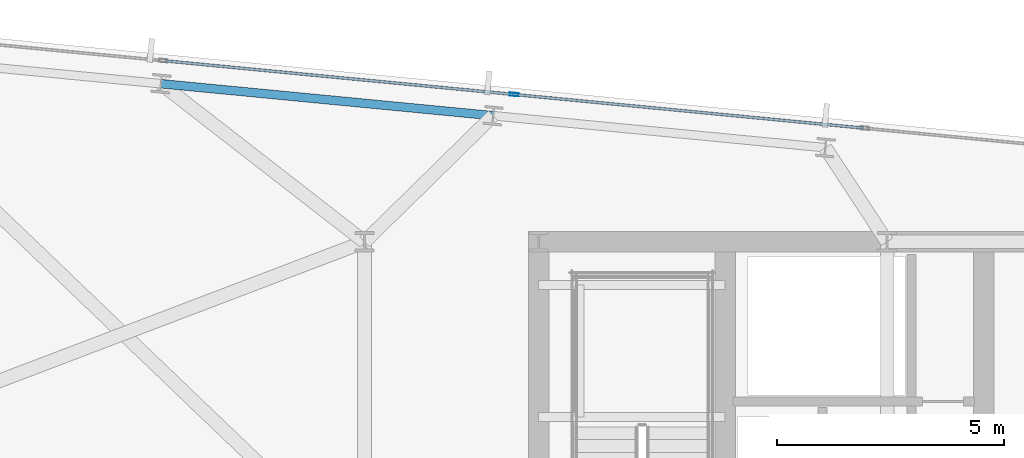
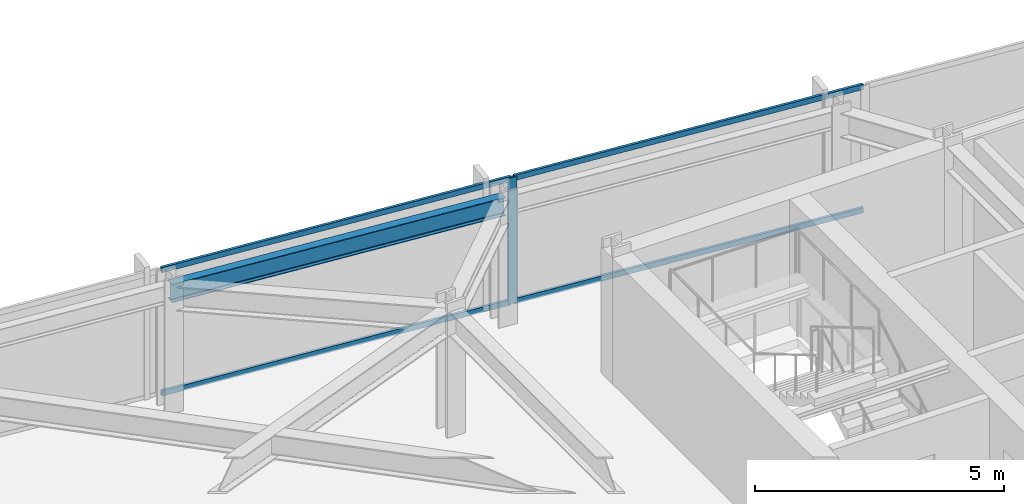
# One storey, part 25 of 36: 5 members, 1 beam, 1 element without a shape of its own.
"""IFC4 building model written with IfcOpenShell, lengths in metres."""

from ifc_helpers import new_model, si_unit, direction, frame, origin, origin_2d, place, context, subcontext, project, spatial, hollow_rectangle, i_section, extrude, material, material_profile, profile_set, type_object, element, aggregate, save


model = new_model("IFC4")

# Units and contexts
model_context = context("Model", 3, precision=1e-05, world=origin(), true_north=direction((0.0, 1.0)))
body_context = subcontext(model_context, "Body", "Model", "MODEL_VIEW")
ifc_project = project(units=[si_unit("LENGTHUNIT", "METRE"), si_unit("AREAUNIT", "SQUARE_METRE"), si_unit("VOLUMEUNIT", "CUBIC_METRE"), si_unit("PLANEANGLEUNIT", "RADIAN"), si_unit("MASSUNIT", "GRAM", prefix="KILO")], contexts=[model_context])

# Site, building, storey
site_placement = place(None, origin())
site = spatial("IfcSite", under=ifc_project, at=site_placement, CompositionType="ELEMENT")
building_placement = place(site_placement, origin())
building = spatial("IfcBuilding", under=site, at=building_placement, Name="Yelkora Congress Tower", CompositionType="ELEMENT")
storey_placement = place(building_placement, frame((0.0, 0.0, 152.300048828125)))
storey = spatial("IfcBuildingStorey", under=building, at=storey_placement, Name="L41", CompositionType="ELEMENT", Elevation=152.300048828125)

# Beam
ifc_material_1 = material(Name="Steel S355J2", Category="steel")
ifc_material_profile_1 = material_profile(ifc_material_1, i_section(OverallWidth=0.18994140625, OverallDepth=0.449951171875, WebThickness=0.009521484375, FlangeThickness=0.0146484375, FilletRadius=0.02099609375, at=origin_2d()), Name="IPE 450")
ifc_profile_set_1 = profile_set([ifc_material_profile_1], Name="Steel S355J2")
beam_type = type_object("IfcBeamType", Name="BM-SPAN-IPE450", PredefinedType="SPANDREL", material=ifc_profile_set_1)
beam_placement = place(storey_placement, frame((22.035400390625, 48.980224609375, 2.85498046875), z_axis=(-0.995393938538, 0.095869218844, 0.0), x_axis=(-0.095869218844, -0.995393938538, 0.0)))
element("IfcBeam", 1, at=beam_placement, inside=storey, type_object=beam_type, Name="L41 Perimeter Beam 14", PredefinedType="SPANDREL", context=body_context, shape_type="SweptSolid", body=[
    extrude(i_section(OverallWidth=0.18994140625, OverallDepth=0.449951171875, WebThickness=0.009521484375, FlangeThickness=0.0146484375, FilletRadius=0.02099609375, at=origin_2d()), origin(), (0.0, 0.0, 1.0), 7.357177734375),
])

# Curtain wall, members
ifc_material_2 = material(Name="Anodised aluminium and insulated glass", Category="aluminium")
curtain_wall_type = type_object("IfcCurtainWallType", Name="CW-SYS-B3", PredefinedType="NOTDEFINED", material=ifc_material_2)
curtain_wall_placement = place(storey_placement, origin())
curtain_wall = element("IfcCurtainWall", 2, at=curtain_wall_placement, inside=storey, type_object=curtain_wall_type, Name="L41 Unitised Curtain Wall 10 (1)", PredefinedType="NOTDEFINED")
ifc_material_3 = material(Name="Anodised aluminium 6063-T6", Category="aluminium")
ifc_material_profile_2 = material_profile(ifc_material_3, hollow_rectangle(XDim=0.070068359375, YDim=0.18994140625, WallThickness=0.00390625, at=origin_2d()), Name="ALU 70x190x4")
ifc_profile_set_2 = profile_set([ifc_material_profile_2], Name="Anodised aluminium 6063-T6")
member_type_1 = type_object("IfcMemberType", Name="MEM-ML-B3", PredefinedType="MULLION", material=ifc_profile_set_2)
member_1_placement = place(storey_placement, frame((22.496826171875, 49.4482421875, 0.0), z_axis=(0.0, 0.0, 1.0), x_axis=(0.095844761168, 0.995396293823, 0.0)))
member_1 = element("IfcMember", 3, at=member_1_placement, type_object=member_type_1, Name="CW-B3 mullion 3", PredefinedType="MULLION", context=body_context, shape_type="SweptSolid", body=[
    extrude(hollow_rectangle(XDim=0.070068359375, YDim=0.18994140625, WallThickness=0.00390625, at=origin_2d()), origin(), (0.0, 0.0, 1.0), 3.079833984375),
])
ifc_material_profile_3 = material_profile(ifc_material_3, hollow_rectangle(XDim=0.06005859375, YDim=0.1298828125, WallThickness=0.00390625, at=origin_2d()), Name="ALU 60x130x4")
ifc_profile_set_3 = profile_set([ifc_material_profile_3], Name="Anodised aluminium 6063-T6")
member_type_2 = type_object("IfcMemberType", Name="MEM-TR-B3", PredefinedType="USERDEFINED", material=ifc_profile_set_3)
member_2_placement = place(storey_placement, frame((14.798095703125, 50.189697265625, 0.030029296875), z_axis=(0.995395016973, -0.095858020971, 0.0), x_axis=(0.095858020971, 0.995395016973, 0.0)))
member_2 = element("IfcMember", 4, at=member_2_placement, type_object=member_type_2, Name="CW-B3 transom 2.1", ObjectType="TRANSOM", PredefinedType="USERDEFINED", context=body_context, shape_type="SweptSolid", body=[
    extrude(hollow_rectangle(XDim=0.06005859375, YDim=0.1298828125, WallThickness=0.00390625, at=origin_2d()), origin(), (0.0, 0.0, 1.0), 7.69921875),
])
member_3_placement = place(storey_placement, frame((14.798095703125, 50.189697265625, 3.050048828125), z_axis=(0.995395016973, -0.095858020971, 0.0), x_axis=(0.095858020971, 0.995395016973, 0.0)))
member_3 = element("IfcMember", 5, at=member_3_placement, type_object=member_type_2, Name="CW-B3 transom 2.2", ObjectType="TRANSOM", PredefinedType="USERDEFINED", context=body_context, shape_type="SweptSolid", body=[
    extrude(hollow_rectangle(XDim=0.06005859375, YDim=0.1298828125, WallThickness=0.00390625, at=origin_2d()), origin(), (0.0, 0.0, 1.0), 7.69921875),
])
member_4_placement = place(storey_placement, frame((22.531494140625, 49.44482421875, 0.030029296875), z_axis=(0.995398333273, -0.095823578082, 0.0), x_axis=(0.095823578082, 0.995398333273, 0.0)))
member_4 = element("IfcMember", 6, at=member_4_placement, type_object=member_type_2, Name="CW-B3 transom 3.1", ObjectType="TRANSOM", PredefinedType="USERDEFINED", context=body_context, shape_type="SweptSolid", body=[
    extrude(hollow_rectangle(XDim=0.06005859375, YDim=0.1298828125, WallThickness=0.00390625, at=origin_2d()), origin(), (0.0, 0.0, 1.0), 7.699462890625),
])
member_5_placement = place(storey_placement, frame((22.531494140625, 49.44482421875, 3.050048828125), z_axis=(0.995398333273, -0.095823578082, 0.0), x_axis=(0.095823578082, 0.995398333273, 0.0)))
member_5 = element("IfcMember", 7, at=member_5_placement, type_object=member_type_2, Name="CW-B3 transom 3.2", ObjectType="TRANSOM", PredefinedType="USERDEFINED", context=body_context, shape_type="SweptSolid", body=[
    extrude(hollow_rectangle(XDim=0.06005859375, YDim=0.1298828125, WallThickness=0.00390625, at=origin_2d()), origin(), (0.0, 0.0, 1.0), 7.699462890625),
])
aggregate(curtain_wall, [member_1, member_2, member_3, member_4, member_5])

save(model, "model.ifc")
